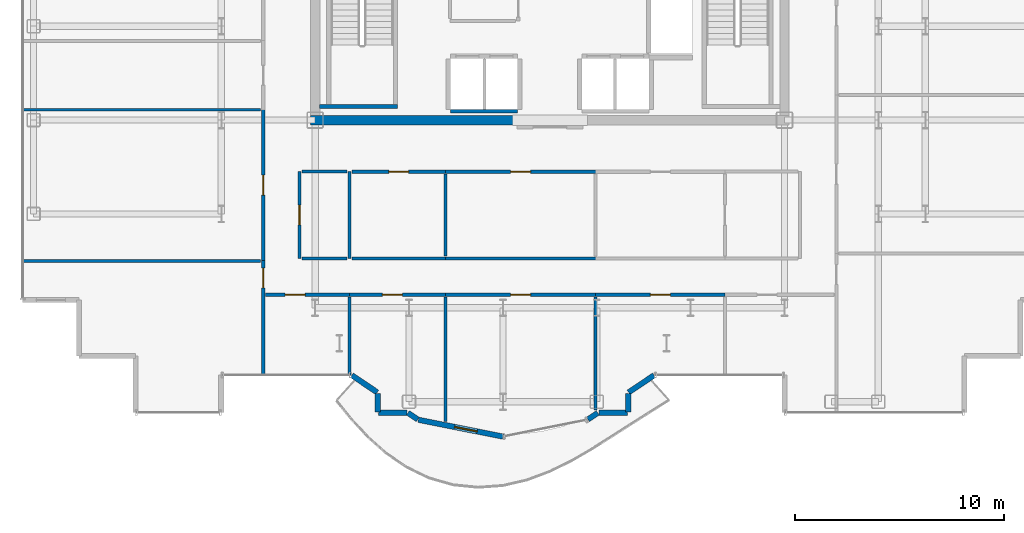
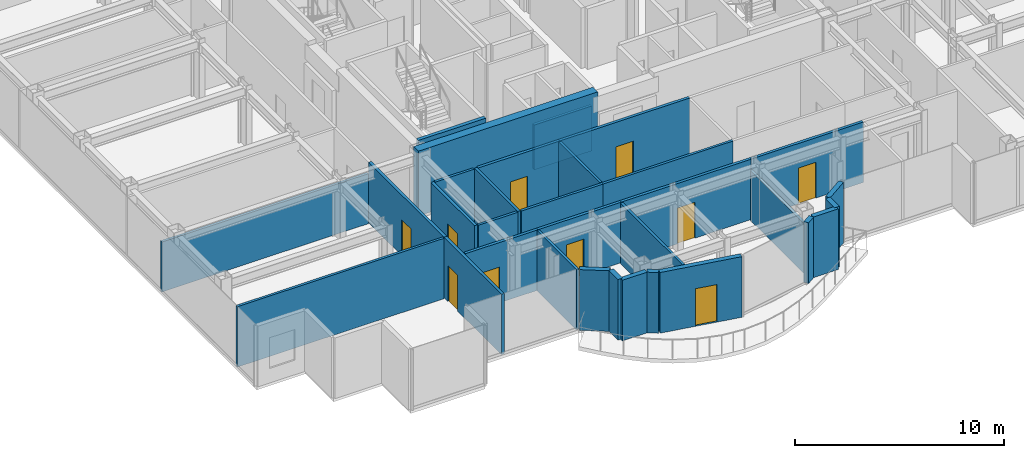
# One storey, part 14 of 21: 32 walls, 10 doors, 10 openings.
"""IFC4 building model written with IfcOpenShell, lengths in metres."""

from ifc_helpers import new_model, si_unit, direction, frame, frame_2d, origin, place, context, subcontext, project, spatial, rectangle, extrude, source, transform, mapped, material, layer, layer_set, type_object, element, fill, save


model = new_model("IFC4")

# Units and contexts
model_context = context("Model", 3, precision=1e-05, world=origin(), true_north=direction((0.0, 1.0)))
body_context = subcontext(model_context, "Body", "Model", "MODEL_VIEW")
ifc_project = project(units=[si_unit("LENGTHUNIT", "METRE"), si_unit("AREAUNIT", "SQUARE_METRE"), si_unit("VOLUMEUNIT", "CUBIC_METRE"), si_unit("PLANEANGLEUNIT", "RADIAN"), si_unit("MASSUNIT", "GRAM", prefix="KILO")], contexts=[model_context])

# Site, building, storey
site_placement = place(None, origin())
site = spatial("IfcSite", under=ifc_project, at=site_placement, CompositionType="ELEMENT")
building_placement = place(site_placement, origin())
building = spatial("IfcBuilding", under=site, at=building_placement, Name="Nefas-Gora Pilgrimage Tower", CompositionType="ELEMENT")
storey_placement = place(building_placement, frame((0.0, 0.0, 233.199951171875)))
storey = spatial("IfcBuildingStorey", under=building, at=storey_placement, Name="L58", CompositionType="ELEMENT", Elevation=233.199951171875)

# Walls
ifc_material_1 = material(Name="Concrete C50/60", Category="concrete")
ifc_layer_1 = layer(ifc_material_1, 0.449951171875)
ifc_layer_set_1 = layer_set([ifc_layer_1], Name="Concrete C50/60")
wall_type_1 = type_object("IfcWallType", Name="SW-CORE-450", PredefinedType="SHEAR", material=ifc_layer_set_1)
shared_shape_1 = source(origin(), body_context, "Body", "SweptSolid", [
    extrude(rectangle(XDim=9.925048828125, YDim=0.449951171875, at=frame_2d((4.96240234375, 0.0))), origin(), (0.0, 0.0, 1.0), 3.800048828125),
])
wall_1_placement = place(storey_placement, frame((-11.47509765625, -9.0, 0.0), z_axis=(0.0, 0.0, 1.0), x_axis=(1.0, 0.0, 0.0)))
element("IfcWall", 1, at=wall_1_placement, inside=storey, type_object=wall_type_1, Name="L58 Core Shear Wall S-West", PredefinedType="SHEAR", context=body_context, shape_type="MappedRepresentation", body=[
    mapped(shared_shape_1, transform((0.0, 0.0, 0.0), x_axis=(1.0, 0.0, 0.0), y_axis=(0.0, 1.0, 0.0), z_axis=(0.0, 0.0, 1.0), scale=1.0)),
])
ifc_material_2 = material(Name="Precast concrete C40/50", Category="concrete")
ifc_layer_2 = layer(ifc_material_2, 0.260009765625)
ifc_layer_set_2 = layer_set([ifc_layer_2], Name="Precast concrete C40/50")
wall_type_2 = type_object("IfcWallType", Name="EW-PORTAL-260", PredefinedType="SOLIDWALL", material=ifc_layer_set_2)
shared_shape_2 = source(origin(), body_context, "Body", "SweptSolid", [
    extrude(rectangle(XDim=1.468994140625, YDim=0.260009765625, at=frame_2d((0.734375, 0.0))), origin(), (0.0, 0.0, 1.0), 3.550048828125),
])
for number, where, z_axis, x_axis, name in (
    (2, (-9.49462890625, -21.235595703125, 0.0), (0.0, 0.0, 1.0), (0.831461760506, -0.555581983884, 0.0), "L58 Lobe Shoulder Precast Spandrel Pier 30"),
    (3, (3.773193359375, -22.0517578125, 0.0), (0.0, 0.0, 1.0), (0.831461760506, 0.555581983884, 0.0), "L58 Lobe Shoulder Precast Spandrel Pier 38"),
):
    element("IfcWall", number, at=place(storey_placement, frame(where, z_axis=z_axis, x_axis=x_axis)), inside=storey, type_object=wall_type_2, Name=name, PredefinedType="SOLIDWALL", context=body_context, shape_type="MappedRepresentation", body=[
        mapped(shared_shape_2, transform((0.0, 0.0, 0.0), x_axis=(1.0, 0.0, 0.0), y_axis=(0.0, 1.0, 0.0), z_axis=(0.0, 0.0, 1.0), scale=1.0)),
    ])
shared_shape_3 = source(origin(), body_context, "Body", "SweptSolid", [
    extrude(rectangle(XDim=0.896728515625, YDim=0.260009765625, at=frame_2d((0.4482421875, 0.0))), origin(), (0.0, 0.0, 1.0), 3.550048828125),
])
for number, where, z_axis, x_axis, name in (
    (4, (-8.25, -22.09521484375, 0.0), (0.0, 0.0, 1.0), (0.0, -1.0, 0.0), "L58 Lobe Shoulder Precast Spandrel Pier 31"),
    (5, (3.75, -22.991943359375, 0.0), (0.0, 0.0, 1.0), (0.0, 1.0, 0.0), "L58 Lobe Shoulder Precast Spandrel Pier 37"),
):
    element("IfcWall", number, at=place(storey_placement, frame(where, z_axis=z_axis, x_axis=x_axis)), inside=storey, type_object=wall_type_2, Name=name, PredefinedType="SOLIDWALL", context=body_context, shape_type="MappedRepresentation", body=[
        mapped(shared_shape_3, transform((0.0, 0.0, 0.0), x_axis=(1.0, 0.0, 0.0), y_axis=(0.0, 1.0, 0.0), z_axis=(0.0, 0.0, 1.0), scale=1.0)),
    ])
shared_shape_4 = source(origin(), body_context, "Body", "SweptSolid", [
    extrude(rectangle(XDim=1.369873046875, YDim=0.260009765625, at=frame_2d((0.68505859375, 0.0))), origin(), (0.0, 0.0, 1.0), 3.550048828125),
])
for number, where, z_axis, x_axis, name in (
    (6, (-8.221923828125, -23.02001953125, 0.0), (0.0, 0.0, 1.0), (1.0, 0.0, 0.0), "L58 Lobe Shoulder Precast Spandrel Pier 32"),
    (7, (2.35205078125, -23.02001953125, 0.0), (0.0, 0.0, 1.0), (1.0, 0.0, 0.0), "L58 Lobe Shoulder Precast Spandrel Pier 36"),
):
    element("IfcWall", number, at=place(storey_placement, frame(where, z_axis=z_axis, x_axis=x_axis)), inside=storey, type_object=wall_type_2, Name=name, PredefinedType="SOLIDWALL", context=body_context, shape_type="MappedRepresentation", body=[
        mapped(shared_shape_4, transform((0.0, 0.0, 0.0), x_axis=(1.0, 0.0, 0.0), y_axis=(0.0, 1.0, 0.0), z_axis=(0.0, 0.0, 1.0), scale=1.0)),
    ])
shared_shape_5 = source(origin(), body_context, "Body", "SweptSolid", [
    extrude(rectangle(XDim=0.5654296875, YDim=0.260009765625, at=frame_2d((0.28271484375, 0.0))), origin(), (0.0, 0.0, 1.0), 3.550048828125),
])
for number, where, z_axis, x_axis, name in (
    (8, (-6.80078125, -23.03564453125, 0.0), (0.0, 0.0, 1.0), (0.831651492666, -0.555297933317, 0.0), "L58 Lobe Shoulder Precast Spandrel Pier 33"),
    (9, (1.83056640625, -23.349609375, 0.0), (0.0, 0.0, 1.0), (0.831651492666, 0.555297933317, 0.0), "L58 Lobe Shoulder Precast Spandrel Pier 35"),
):
    element("IfcWall", number, at=place(storey_placement, frame(where, z_axis=z_axis, x_axis=x_axis)), inside=storey, type_object=wall_type_2, Name=name, PredefinedType="SOLIDWALL", context=body_context, shape_type="MappedRepresentation", body=[
        mapped(shared_shape_5, transform((0.0, 0.0, 0.0), x_axis=(1.0, 0.0, 0.0), y_axis=(0.0, 1.0, 0.0), z_axis=(0.0, 0.0, 1.0), scale=1.0)),
    ])

# Wall, opening, door
shared_shape_6 = source(origin(), body_context, "Body", "SweptSolid", [
    extrude(rectangle(XDim=4.136962890625, YDim=0.260009765625, at=frame_2d((2.068359375, 0.0))), origin(), (0.0, 0.0, 1.0), 3.550048828125),
])
wall_2_placement = place(storey_placement, frame((-6.307373046875, -23.365234375, 0.0), z_axis=(0.0, 0.0, 1.0), x_axis=(0.980782170794, -0.195105954428, 0.0)))
wall_2 = element("IfcWall", 10, at=wall_2_placement, inside=storey, type_object=wall_type_2, Name="L58 Insulated Terrace Portal Wall 34", PredefinedType="SOLIDWALL", context=body_context, shape_type="MappedRepresentation", body=[
    mapped(shared_shape_6, transform((0.0, 0.0, 0.0), x_axis=(1.0, 0.0, 0.0), y_axis=(0.0, 1.0, 0.0), z_axis=(0.0, 0.0, 1.0), scale=1.0)),
])
opening_1_placement = place(wall_2_placement, frame((1.776123046875, 0.0, 0.0)))
opening_1 = element("IfcOpeningElement", 11, at=opening_1_placement, cuts=wall_2, Name="Opening ED-B1", PredefinedType="OPENING", context=body_context, shape_type="SweptSolid", body=[
    extrude(rectangle(XDim=1.10009765625, YDim=2.199951171875, at=frame_2d((0.550048828125, 1.10009765625))), frame((0.0, 0.139892578125, 0.0), z_axis=(0.0, -1.0, 0.0), x_axis=(1.0, 0.0, 0.0)), (0.0, 0.0, 1.0), 0.280029296875),
])
ifc_material_3 = material(Name="Thermally broken glazed aluminium balcony door", Category="aluminium")
door_type_1 = type_object("IfcDoorType", Name="DR-EXT-BAL-1100", OperationType="NOTDEFINED", PredefinedType="DOOR", material=ifc_material_3)
shared_shape_7 = source(origin(), body_context, "Body", "SweptSolid", [
    extrude(rectangle(XDim=1.10009765625, YDim=2.199951171875, at=frame_2d((0.550048828125, 1.10009765625))), frame((0.0, 0.02490234375, 0.0), z_axis=(0.0, -1.0, 0.0), x_axis=(1.0, 0.0, 0.0)), (0.0, 0.0, 1.0), 0.050048828125),
])
door_1_placement = place(opening_1_placement, origin())
door_1 = element("IfcDoor", 12, at=door_1_placement, inside=storey, type_object=door_type_1, Name="L58 Exterior Door (L58 S Lobe Wave Balcony)", OperationType="SINGLE_SWING_LEFT", OverallHeight=2.199951171875, OverallWidth=1.10009765625, PredefinedType="DOOR", context=body_context, shape_type="MappedRepresentation", body=[
    mapped(shared_shape_7, transform((0.0, 0.0, 0.0), x_axis=(1.0, 0.0, 0.0), y_axis=(0.0, 1.0, 0.0), z_axis=(0.0, 0.0, 1.0), scale=1.0)),
])
fill(opening_1, door_1)

# Walls
ifc_material_4 = material(Name="Concrete C45/55", Category="concrete")
ifc_layer_3 = layer(ifc_material_4, 0.199951171875)
ifc_layer_set_3 = layer_set([ifc_layer_3], Name="Concrete C45/55")
wall_type_3 = type_object("IfcWallType", Name="IW-STAIR-200", PredefinedType="SOLIDWALL", material=ifc_layer_set_3)
shared_shape_8 = source(origin(), body_context, "Body", "SweptSolid", [
    extrude(rectangle(XDim=3.72998046875, YDim=0.199951171875, at=frame_2d((1.864990234375, 0.0))), origin(), (0.0, 0.0, 1.0), 3.800048828125),
])
wall_3_placement = place(storey_placement, frame((-11.030029296875, -8.35009765625, 0.0), z_axis=(0.0, 0.0, 1.0), x_axis=(1.0, 0.0, 0.0)))
element("IfcWall", 13, at=wall_3_placement, inside=storey, type_object=wall_type_3, Name="L58 Stairwell Shear Wall ST-03-far", PredefinedType="SOLIDWALL", context=body_context, shape_type="MappedRepresentation", body=[
    mapped(shared_shape_8, transform((0.0, 0.0, 0.0), x_axis=(1.0, 0.0, 0.0), y_axis=(0.0, 1.0, 0.0), z_axis=(0.0, 0.0, 1.0), scale=1.0)),
])
ifc_material_5 = material(Name="Gypsum acoustic stud partition")
ifc_layer_4 = layer(ifc_material_5, 0.159912109375)
ifc_layer_set_4 = layer_set([ifc_layer_4], Name="Gypsum acoustic stud partition")
wall_type_4 = type_object("IfcWallType", Name="IW-CORR-160", PredefinedType="PARTITIONING", material=ifc_layer_set_4)
shared_shape_9 = source(origin(), body_context, "Body", "SweptSolid", [
    extrude(rectangle(XDim=3.199951171875, YDim=0.159912109375, at=frame_2d((1.60009765625, 0.0))), origin(), (0.0, 0.0, 1.0), 2.625),
])
wall_4_placement = place(storey_placement, frame((-4.75, -8.580078125, 0.0), z_axis=(0.0, 0.0, 1.0), x_axis=(1.0, 0.0, 0.0)))
element("IfcWall", 14, at=wall_4_placement, inside=storey, type_object=wall_type_4, Name="L58 Hoistway Wall PL2-W-S", PredefinedType="PARTITIONING", context=body_context, shape_type="MappedRepresentation", body=[
    mapped(shared_shape_9, transform((0.0, 0.0, 0.0), x_axis=(1.0, 0.0, 0.0), y_axis=(0.0, 1.0, 0.0), z_axis=(0.0, 0.0, 1.0), scale=1.0)),
])

# Wall, opening, door
shared_shape_10 = source(origin(), body_context, "Body", "SweptSolid", [
    extrude(rectangle(XDim=4.60986328125, YDim=0.159912109375, at=frame_2d((2.304931640625, 0.0))), origin(), (0.0, 0.0, 1.0), 3.53515625),
])
wall_5_placement = place(storey_placement, frame((-9.60498046875, -17.3701171875, 0.0), z_axis=(0.0, 0.0, 1.0), x_axis=(1.0, 0.0, 0.0)))
wall_5 = element("IfcWall", 15, at=wall_5_placement, inside=storey, type_object=wall_type_4, Name="L58 Pilgrim Contemplative Lounge Partition Wall 78", PredefinedType="PARTITIONING", context=body_context, shape_type="MappedRepresentation", body=[
    mapped(shared_shape_10, transform((0.0, 0.0, 0.0), x_axis=(1.0, 0.0, 0.0), y_axis=(0.0, 1.0, 0.0), z_axis=(0.0, 0.0, 1.0), scale=1.0)),
])
opening_2_placement = place(wall_5_placement, frame((1.58203125, 0.0, 0.0)))
opening_2 = element("IfcOpeningElement", 16, at=opening_2_placement, cuts=wall_5, Name="Opening ID-GR1", PredefinedType="OPENING", context=body_context, shape_type="SweptSolid", body=[
    extrude(rectangle(XDim=0.949951171875, YDim=2.10009765625, at=frame_2d((0.47509765625, 1.050048828125))), frame((0.0, 0.08984375, 0.0), z_axis=(0.0, -1.0, 0.0), x_axis=(1.0, 0.0, 0.0)), (0.0, 0.0, 1.0), 0.179931640625),
])
ifc_material_6 = material(Name="Solid core oak fire-rated guest entrance door")
door_type_2 = type_object("IfcDoorType", Name="DR-INT-GUEST-950", OperationType="NOTDEFINED", PredefinedType="DOOR", material=ifc_material_6)
shared_shape_11 = source(origin(), body_context, "Body", "SweptSolid", [
    extrude(rectangle(XDim=0.949951171875, YDim=2.10009765625, at=frame_2d((0.47509765625, 1.050048828125))), frame((0.0, 0.02490234375, 0.0), z_axis=(0.0, -1.0, 0.0), x_axis=(1.0, 0.0, 0.0)), (0.0, 0.0, 1.0), 0.050048828125),
])
door_2_placement = place(opening_2_placement, origin())
door_2 = element("IfcDoor", 17, at=door_2_placement, inside=storey, type_object=door_type_2, Name="L58 Pilgrim Contemplative Lounge Door 35", OperationType="SINGLE_SWING_LEFT", OverallHeight=2.10009765625, OverallWidth=0.949951171875, PredefinedType="DOOR", context=body_context, shape_type="MappedRepresentation", body=[
    mapped(shared_shape_11, transform((0.0, 0.0, 0.0), x_axis=(1.0, 0.0, 0.0), y_axis=(0.0, 1.0, 0.0), z_axis=(0.0, 0.0, 1.0), scale=1.0)),
])
fill(opening_2, door_2)

shared_shape_12 = source(origin(), body_context, "Body", "SweptSolid", [
    extrude(rectangle(XDim=4.025146484375, YDim=0.159912109375, at=frame_2d((2.0126953125, 0.0))), origin(), (0.0, 0.0, 1.0), 3.53515625),
])
wall_6_placement = place(storey_placement, frame((-13.6201171875, -17.3701171875, 0.0), z_axis=(0.0, 0.0, 1.0), x_axis=(1.0, 0.0, 0.0)))
wall_6 = element("IfcWall", 18, at=wall_6_placement, inside=storey, type_object=wall_type_4, Name="L58 Pilgrim Contemplative Lounge Partition Wall 72", PredefinedType="PARTITIONING", context=body_context, shape_type="MappedRepresentation", body=[
    mapped(shared_shape_12, transform((0.0, 0.0, 0.0), x_axis=(1.0, 0.0, 0.0), y_axis=(0.0, 1.0, 0.0), z_axis=(0.0, 0.0, 1.0), scale=1.0)),
])
opening_3_placement = place(wall_6_placement, frame((0.933837890625, 0.0, 0.0)))
opening_3 = element("IfcOpeningElement", 19, at=opening_3_placement, cuts=wall_6, Name="Opening ID-GR1", PredefinedType="OPENING", context=body_context, shape_type="SweptSolid", body=[
    extrude(rectangle(XDim=0.949951171875, YDim=2.10009765625, at=frame_2d((0.47509765625, 1.050048828125))), frame((0.0, 0.08984375, 0.0), z_axis=(0.0, -1.0, 0.0), x_axis=(1.0, 0.0, 0.0)), (0.0, 0.0, 1.0), 0.179931640625),
])
door_3_placement = place(opening_3_placement, origin())
door_3 = element("IfcDoor", 20, at=door_3_placement, inside=storey, type_object=door_type_2, Name="L58 Pilgrim Contemplative Lounge Door 33", OperationType="SINGLE_SWING_LEFT", OverallHeight=2.10009765625, OverallWidth=0.949951171875, PredefinedType="DOOR", context=body_context, shape_type="MappedRepresentation", body=[
    mapped(shared_shape_11, transform((0.0, 0.0, 0.0), x_axis=(1.0, 0.0, 0.0), y_axis=(0.0, 1.0, 0.0), z_axis=(0.0, 0.0, 1.0), scale=1.0)),
])
fill(opening_3, door_3)

shared_shape_13 = source(origin(), body_context, "Body", "SweptSolid", [
    extrude(rectangle(XDim=6.2099609375, YDim=0.159912109375, at=frame_2d((3.10498046875, 0.0))), origin(), (0.0, 0.0, 1.0), 3.53515625),
])
wall_7_placement = place(storey_placement, frame((2.195068359375, -17.3701171875, 0.0), z_axis=(0.0, 0.0, 1.0), x_axis=(1.0, 0.0, 0.0)))
wall_7 = element("IfcWall", 21, at=wall_7_placement, inside=storey, type_object=wall_type_4, Name="L58 Pilgrim Contemplative Lounge Partition Wall 88", PredefinedType="PARTITIONING", context=body_context, shape_type="MappedRepresentation", body=[
    mapped(shared_shape_13, transform((0.0, 0.0, 0.0), x_axis=(1.0, 0.0, 0.0), y_axis=(0.0, 1.0, 0.0), z_axis=(0.0, 0.0, 1.0), scale=1.0)),
])
opening_4_placement = place(wall_7_placement, frame((2.6298828125, 0.0, 0.0)))
opening_4 = element("IfcOpeningElement", 22, at=opening_4_placement, cuts=wall_7, Name="Opening ID-GR1", PredefinedType="OPENING", context=body_context, shape_type="SweptSolid", body=[
    extrude(rectangle(XDim=0.949951171875, YDim=2.10009765625, at=frame_2d((0.47509765625, 1.050048828125))), frame((0.0, 0.08984375, 0.0), z_axis=(0.0, -1.0, 0.0), x_axis=(1.0, 0.0, 0.0)), (0.0, 0.0, 1.0), 0.179931640625),
])
door_4_placement = place(opening_4_placement, origin())
door_4 = element("IfcDoor", 23, at=door_4_placement, inside=storey, type_object=door_type_2, Name="L58 Pilgrim Contemplative Lounge Door 39", OperationType="SINGLE_SWING_LEFT", OverallHeight=2.10009765625, OverallWidth=0.949951171875, PredefinedType="DOOR", context=body_context, shape_type="MappedRepresentation", body=[
    mapped(shared_shape_11, transform((0.0, 0.0, 0.0), x_axis=(1.0, 0.0, 0.0), y_axis=(0.0, 1.0, 0.0), z_axis=(0.0, 0.0, 1.0), scale=1.0)),
])
fill(opening_4, door_4)

# Wall
ifc_material_7 = material(Name="Gypsum twin-stud partition")
ifc_layer_5 = layer(ifc_material_7, 0.139892578125)
ifc_layer_set_5 = layer_set([ifc_layer_5], Name="Gypsum twin-stud partition")
wall_type_5 = type_object("IfcWallType", Name="IW-UNIT-140", PredefinedType="PARTITIONING", material=ifc_layer_set_5)
shared_shape_14 = source(origin(), body_context, "Body", "SweptSolid", [
    extrude(rectangle(XDim=11.429931640625, YDim=0.139892578125, at=frame_2d((5.71484375, 0.0))), origin(), (0.0, 0.0, 1.0), 3.53515625),
])
wall_8_placement = place(storey_placement, frame((-25.2900390625, -15.74755859375, 0.0), z_axis=(0.0, 0.0, 1.0), x_axis=(1.0, 0.0, 0.0)))
element("IfcWall", 24, at=wall_8_placement, inside=storey, type_object=wall_type_5, Name="L58 Pilgrim Devotional Prayer Gallery Partition Wall 33", PredefinedType="PARTITIONING", context=body_context, shape_type="MappedRepresentation", body=[
    mapped(shared_shape_14, transform((0.0, 0.0, 0.0), x_axis=(1.0, 0.0, 0.0), y_axis=(0.0, 1.0, 0.0), z_axis=(0.0, 0.0, 1.0), scale=1.0)),
])

# Wall, opening, door
shared_shape_15 = source(origin(), body_context, "Body", "SweptSolid", [
    extrude(rectangle(XDim=7.242431640625, YDim=0.159912109375, at=frame_2d((3.62109375, 0.0))), origin(), (0.0, 0.0, 1.0), 3.53515625),
])
wall_9_placement = place(storey_placement, frame((-13.739990234375, -15.737548828125, 0.0), z_axis=(0.0, 0.0, 1.0), x_axis=(0.0, 1.0, 0.0)))
wall_9 = element("IfcWall", 25, at=wall_9_placement, inside=storey, type_object=wall_type_4, Name="L58 Pilgrim Devotional Prayer Gallery Partition Wall 34", PredefinedType="PARTITIONING", context=body_context, shape_type="MappedRepresentation", body=[
    mapped(shared_shape_15, transform((0.0, 0.0, 0.0), x_axis=(1.0, 0.0, 0.0), y_axis=(0.0, 1.0, 0.0), z_axis=(0.0, 0.0, 1.0), scale=1.0)),
])
opening_5_placement = place(wall_9_placement, frame((3.146240234375, 0.0, 0.0)))
opening_5 = element("IfcOpeningElement", 26, at=opening_5_placement, cuts=wall_9, Name="Opening ID-GR1", PredefinedType="OPENING", context=body_context, shape_type="SweptSolid", body=[
    extrude(rectangle(XDim=0.949951171875, YDim=2.10009765625, at=frame_2d((0.47509765625, 1.050048828125))), frame((0.0, 0.08984375, 0.0), z_axis=(0.0, -1.0, 0.0), x_axis=(1.0, 0.0, 0.0)), (0.0, 0.0, 1.0), 0.179931640625),
])
door_5_placement = place(opening_5_placement, origin())
door_5 = element("IfcDoor", 27, at=door_5_placement, inside=storey, type_object=door_type_2, Name="L58 Pilgrim Devotional Prayer Gallery Door 14", OperationType="SINGLE_SWING_RIGHT", OverallHeight=2.10009765625, OverallWidth=0.949951171875, PredefinedType="DOOR", context=body_context, shape_type="MappedRepresentation", body=[
    mapped(shared_shape_11, transform((0.0, 0.0, 0.0), x_axis=(1.0, 0.0, 0.0), y_axis=(0.0, 1.0, 0.0), z_axis=(0.0, 0.0, 1.0), scale=1.0)),
])
fill(opening_5, door_5)

# Walls
shared_shape_16 = source(origin(), body_context, "Body", "SweptSolid", [
    extrude(rectangle(XDim=3.929931640625, YDim=0.139892578125, at=frame_2d((1.96484375, 0.0))), origin(), (0.0, 0.0, 1.0), 3.53515625),
])
wall_10_placement = place(storey_placement, frame((-5.0048828125, -15.52001953125, 0.0), z_axis=(0.0, 0.0, 1.0), x_axis=(0.0, 1.0, 0.0)))
element("IfcWall", 28, at=wall_10_placement, inside=storey, type_object=wall_type_5, Name="L58 Pilgrim Contemplative Lounge Partition Wall 82", PredefinedType="PARTITIONING", context=body_context, shape_type="MappedRepresentation", body=[
    mapped(shared_shape_16, transform((0.0, 0.0, 0.0), x_axis=(1.0, 0.0, 0.0), y_axis=(0.0, 1.0, 0.0), z_axis=(0.0, 0.0, 1.0), scale=1.0)),
])
shared_shape_17 = source(origin(), body_context, "Body", "SweptSolid", [
    extrude(rectangle(XDim=3.75, YDim=0.139892578125, at=frame_2d((1.875, 0.0))), origin(), (0.0, 0.0, 1.0), 3.53515625),
])
wall_11_placement = place(storey_placement, frame((-9.60498046875, -21.239990234375, 0.0), z_axis=(0.0, 0.0, 1.0), x_axis=(0.0, 1.0, 0.0)))
element("IfcWall", 29, at=wall_11_placement, inside=storey, type_object=wall_type_5, Name="L58 Pilgrim Contemplative Lounge Partition Wall 73", PredefinedType="PARTITIONING", context=body_context, shape_type="MappedRepresentation", body=[
    mapped(shared_shape_17, transform((0.0, 0.0, 0.0), x_axis=(1.0, 0.0, 0.0), y_axis=(0.0, 1.0, 0.0), z_axis=(0.0, 0.0, 1.0), scale=1.0)),
])
shared_shape_18 = source(origin(), body_context, "Body", "SweptSolid", [
    extrude(rectangle(XDim=4.179931640625, YDim=0.139892578125, at=frame_2d((2.08984375, 0.0))), origin(), (0.0, 0.0, 1.0), 3.53515625),
])
wall_12_placement = place(storey_placement, frame((-9.60498046875, -15.639892578125, 0.0), z_axis=(0.0, 0.0, 1.0), x_axis=(0.0, 1.0, 0.0)))
element("IfcWall", 30, at=wall_12_placement, inside=storey, type_object=wall_type_5, Name="L58 Pilgrim Contemplative Lounge Partition Wall 75", PredefinedType="PARTITIONING", context=body_context, shape_type="MappedRepresentation", body=[
    mapped(shared_shape_18, transform((0.0, 0.0, 0.0), x_axis=(1.0, 0.0, 0.0), y_axis=(0.0, 1.0, 0.0), z_axis=(0.0, 0.0, 1.0), scale=1.0)),
])

# Wall, opening, door
shared_shape_19 = source(origin(), body_context, "Body", "SweptSolid", [
    extrude(rectangle(XDim=4.179931640625, YDim=0.159912109375, at=frame_2d((2.08984375, 0.0))), origin(), (0.0, 0.0, 1.0), 3.53515625),
])
wall_13_placement = place(storey_placement, frame((-12.0, -15.639892578125, 0.0), z_axis=(0.0, 0.0, 1.0), x_axis=(0.0, 1.0, 0.0)))
wall_13 = element("IfcWall", 31, at=wall_13_placement, inside=storey, type_object=wall_type_4, Name="L58 Pilgrim Contemplative Lounge Partition Wall 74", PredefinedType="PARTITIONING", context=body_context, shape_type="MappedRepresentation", body=[
    mapped(shared_shape_19, transform((0.0, 0.0, 0.0), x_axis=(1.0, 0.0, 0.0), y_axis=(0.0, 1.0, 0.0), z_axis=(0.0, 0.0, 1.0), scale=1.0)),
])
opening_6_placement = place(wall_13_placement, frame((1.614990234375, 0.0, 0.0)))
opening_6 = element("IfcOpeningElement", 32, at=opening_6_placement, cuts=wall_13, Name="Opening ID-GR1", PredefinedType="OPENING", context=body_context, shape_type="SweptSolid", body=[
    extrude(rectangle(XDim=0.949951171875, YDim=2.10009765625, at=frame_2d((0.47509765625, 1.050048828125))), frame((0.0, 0.08984375, 0.0), z_axis=(0.0, -1.0, 0.0), x_axis=(1.0, 0.0, 0.0)), (0.0, 0.0, 1.0), 0.179931640625),
])
door_6_placement = place(opening_6_placement, origin())
door_6 = element("IfcDoor", 33, at=door_6_placement, inside=storey, type_object=door_type_2, Name="L58 Pilgrim Contemplative Lounge Door 34", OperationType="SINGLE_SWING_RIGHT", OverallHeight=2.10009765625, OverallWidth=0.949951171875, PredefinedType="DOOR", context=body_context, shape_type="MappedRepresentation", body=[
    mapped(shared_shape_11, transform((0.0, 0.0, 0.0), x_axis=(1.0, 0.0, 0.0), y_axis=(0.0, 1.0, 0.0), z_axis=(0.0, 0.0, 1.0), scale=1.0)),
])
fill(opening_6, door_6)

shared_shape_20 = source(origin(), body_context, "Body", "SweptSolid", [
    extrude(rectangle(XDim=4.5, YDim=0.159912109375, at=frame_2d((2.25, 0.0))), origin(), (0.0, 0.0, 1.0), 3.53515625),
])
wall_14_placement = place(storey_placement, frame((-9.4951171875, -11.469970703125, 0.0), z_axis=(0.0, 0.0, 1.0), x_axis=(1.0, 0.0, 0.0)))
wall_14 = element("IfcWall", 34, at=wall_14_placement, inside=storey, type_object=wall_type_4, Name="L58 Pilgrim Contemplative Lounge Partition Wall 80", PredefinedType="PARTITIONING", context=body_context, shape_type="MappedRepresentation", body=[
    mapped(shared_shape_20, transform((0.0, 0.0, 0.0), x_axis=(1.0, 0.0, 0.0), y_axis=(0.0, 1.0, 0.0), z_axis=(0.0, 0.0, 1.0), scale=1.0)),
])
opening_7_placement = place(wall_14_placement, frame((1.77490234375, 0.0, 0.0)))
opening_7 = element("IfcOpeningElement", 35, at=opening_7_placement, cuts=wall_14, Name="Opening ID-GR1", PredefinedType="OPENING", context=body_context, shape_type="SweptSolid", body=[
    extrude(rectangle(XDim=0.949951171875, YDim=2.10009765625, at=frame_2d((0.47509765625, 1.050048828125))), frame((0.0, 0.08984375, 0.0), z_axis=(0.0, -1.0, 0.0), x_axis=(1.0, 0.0, 0.0)), (0.0, 0.0, 1.0), 0.179931640625),
])
door_7_placement = place(opening_7_placement, origin())
door_7 = element("IfcDoor", 36, at=door_7_placement, inside=storey, type_object=door_type_2, Name="L58 Pilgrim Contemplative Lounge Door 36", OperationType="SINGLE_SWING_RIGHT", OverallHeight=2.10009765625, OverallWidth=0.949951171875, PredefinedType="DOOR", context=body_context, shape_type="MappedRepresentation", body=[
    mapped(shared_shape_11, transform((0.0, 0.0, 0.0), x_axis=(1.0, 0.0, 0.0), y_axis=(0.0, 1.0, 0.0), z_axis=(0.0, 0.0, 1.0), scale=1.0)),
])
fill(opening_7, door_7)

# Wall
shared_shape_21 = source(origin(), body_context, "Body", "SweptSolid", [
    extrude(rectangle(XDim=4.5, YDim=0.139892578125, at=frame_2d((2.25, 0.0))), origin(), (0.0, 0.0, 1.0), 3.53515625),
])
wall_15_placement = place(storey_placement, frame((-9.4951171875, -15.6298828125, 0.0), z_axis=(0.0, 0.0, 1.0), x_axis=(1.0, 0.0, 0.0)))
element("IfcWall", 37, at=wall_15_placement, inside=storey, type_object=wall_type_5, Name="L58 Pilgrim Contemplative Lounge Partition Wall 81", PredefinedType="PARTITIONING", context=body_context, shape_type="MappedRepresentation", body=[
    mapped(shared_shape_21, transform((0.0, 0.0, 0.0), x_axis=(1.0, 0.0, 0.0), y_axis=(0.0, 1.0, 0.0), z_axis=(0.0, 0.0, 1.0), scale=1.0)),
])

# Wall, opening, door
shared_shape_22 = source(origin(), body_context, "Body", "SweptSolid", [
    extrude(rectangle(XDim=7.2099609375, YDim=0.159912109375, at=frame_2d((3.60498046875, 0.0))), origin(), (0.0, 0.0, 1.0), 3.53515625),
])
wall_16_placement = place(storey_placement, frame((-5.0048828125, -17.3701171875, 0.0), z_axis=(0.0, 0.0, 1.0), x_axis=(1.0, 0.0, 0.0)))
wall_16 = element("IfcWall", 38, at=wall_16_placement, inside=storey, type_object=wall_type_4, Name="L58 Pilgrim Contemplative Lounge Partition Wall 83", PredefinedType="PARTITIONING", context=body_context, shape_type="MappedRepresentation", body=[
    mapped(shared_shape_22, transform((0.0, 0.0, 0.0), x_axis=(1.0, 0.0, 0.0), y_axis=(0.0, 1.0, 0.0), z_axis=(0.0, 0.0, 1.0), scale=1.0)),
])
opening_8_placement = place(wall_16_placement, frame((3.1298828125, 0.0, 0.0)))
opening_8 = element("IfcOpeningElement", 39, at=opening_8_placement, cuts=wall_16, Name="Opening ID-GR1", PredefinedType="OPENING", context=body_context, shape_type="SweptSolid", body=[
    extrude(rectangle(XDim=0.949951171875, YDim=2.10009765625, at=frame_2d((0.47509765625, 1.050048828125))), frame((0.0, 0.08984375, 0.0), z_axis=(0.0, -1.0, 0.0), x_axis=(1.0, 0.0, 0.0)), (0.0, 0.0, 1.0), 0.179931640625),
])
door_8_placement = place(opening_8_placement, origin())
door_8 = element("IfcDoor", 40, at=door_8_placement, inside=storey, type_object=door_type_2, Name="L58 Pilgrim Contemplative Lounge Door 37", OperationType="SINGLE_SWING_LEFT", OverallHeight=2.10009765625, OverallWidth=0.949951171875, PredefinedType="DOOR", context=body_context, shape_type="MappedRepresentation", body=[
    mapped(shared_shape_11, transform((0.0, 0.0, 0.0), x_axis=(1.0, 0.0, 0.0), y_axis=(0.0, 1.0, 0.0), z_axis=(0.0, 0.0, 1.0), scale=1.0)),
])
fill(opening_8, door_8)

wall_17_placement = place(storey_placement, frame((-5.0048828125, -11.469970703125, 0.0), z_axis=(0.0, 0.0, 1.0), x_axis=(1.0, 0.0, 0.0)))
wall_17 = element("IfcWall", 41, at=wall_17_placement, inside=storey, type_object=wall_type_4, Name="L58 Pilgrim Contemplative Lounge Partition Wall 85", PredefinedType="PARTITIONING", context=body_context, shape_type="MappedRepresentation", body=[
    mapped(shared_shape_22, transform((0.0, 0.0, 0.0), x_axis=(1.0, 0.0, 0.0), y_axis=(0.0, 1.0, 0.0), z_axis=(0.0, 0.0, 1.0), scale=1.0)),
])
opening_9_placement = place(wall_17_placement, frame((3.1298828125, 0.0, 0.0)))
opening_9 = element("IfcOpeningElement", 42, at=opening_9_placement, cuts=wall_17, Name="Opening ID-GR1", PredefinedType="OPENING", context=body_context, shape_type="SweptSolid", body=[
    extrude(rectangle(XDim=0.949951171875, YDim=2.10009765625, at=frame_2d((0.47509765625, 1.050048828125))), frame((0.0, 0.08984375, 0.0), z_axis=(0.0, -1.0, 0.0), x_axis=(1.0, 0.0, 0.0)), (0.0, 0.0, 1.0), 0.179931640625),
])
door_9_placement = place(opening_9_placement, origin())
door_9 = element("IfcDoor", 43, at=door_9_placement, inside=storey, type_object=door_type_2, Name="L58 Pilgrim Contemplative Lounge Door 38", OperationType="SINGLE_SWING_RIGHT", OverallHeight=2.10009765625, OverallWidth=0.949951171875, PredefinedType="DOOR", context=body_context, shape_type="MappedRepresentation", body=[
    mapped(shared_shape_11, transform((0.0, 0.0, 0.0), x_axis=(1.0, 0.0, 0.0), y_axis=(0.0, 1.0, 0.0), z_axis=(0.0, 0.0, 1.0), scale=1.0)),
])
fill(opening_9, door_9)

# Walls
shared_shape_23 = source(origin(), body_context, "Body", "SweptSolid", [
    extrude(rectangle(XDim=7.2099609375, YDim=0.139892578125, at=frame_2d((3.60498046875, 0.0))), origin(), (0.0, 0.0, 1.0), 3.53515625),
])
wall_18_placement = place(storey_placement, frame((-5.0048828125, -15.6298828125, 0.0), z_axis=(0.0, 0.0, 1.0), x_axis=(1.0, 0.0, 0.0)))
element("IfcWall", 44, at=wall_18_placement, inside=storey, type_object=wall_type_5, Name="L58 Pilgrim Contemplative Lounge Partition Wall 86", PredefinedType="PARTITIONING", context=body_context, shape_type="MappedRepresentation", body=[
    mapped(shared_shape_23, transform((0.0, 0.0, 0.0), x_axis=(1.0, 0.0, 0.0), y_axis=(0.0, 1.0, 0.0), z_axis=(0.0, 0.0, 1.0), scale=1.0)),
])
shared_shape_24 = source(origin(), body_context, "Body", "SweptSolid", [
    extrude(rectangle(XDim=11.429931640625, YDim=0.139892578125, at=frame_2d((5.71484375, 0.0))), origin(), (0.0, 0.0, 1.0), 2.925048828125),
])
wall_19_placement = place(storey_placement, frame((-25.2900390625, -8.5048828125, 0.0), z_axis=(0.0, 0.0, 1.0), x_axis=(1.0, 0.0, 0.0)))
element("IfcWall", 45, at=wall_19_placement, inside=storey, type_object=wall_type_5, Name="L58 Pilgrim Devotional Prayer Gallery Partition Wall 35", PredefinedType="PARTITIONING", context=body_context, shape_type="MappedRepresentation", body=[
    mapped(shared_shape_24, transform((0.0, 0.0, 0.0), x_axis=(1.0, 0.0, 0.0), y_axis=(0.0, 1.0, 0.0), z_axis=(0.0, 0.0, 1.0), scale=1.0)),
])

# Wall, opening, door
shared_shape_25 = source(origin(), body_context, "Body", "SweptSolid", [
    extrude(rectangle(XDim=5.50244140625, YDim=0.159912109375, at=frame_2d((2.751220703125, 0.0))), origin(), (0.0, 0.0, 1.0), 3.53515625),
])
wall_20_placement = place(storey_placement, frame((-13.739990234375, -21.239990234375, 0.0), z_axis=(0.0, 0.0, 1.0), x_axis=(0.0, 1.0, 0.0)))
wall_20 = element("IfcWall", 46, at=wall_20_placement, inside=storey, type_object=wall_type_4, Name="L58 Pilgrim Devotional Prayer Gallery Partition Wall 32", PredefinedType="PARTITIONING", context=body_context, shape_type="MappedRepresentation", body=[
    mapped(shared_shape_25, transform((0.0, 0.0, 0.0), x_axis=(1.0, 0.0, 0.0), y_axis=(0.0, 1.0, 0.0), z_axis=(0.0, 0.0, 1.0), scale=1.0)),
])
opening_10_placement = place(wall_20_placement, frame((4.191162109375, 0.0, 0.0)))
opening_10 = element("IfcOpeningElement", 47, at=opening_10_placement, cuts=wall_20, Name="Opening ID-GR1", PredefinedType="OPENING", context=body_context, shape_type="SweptSolid", body=[
    extrude(rectangle(XDim=0.949951171875, YDim=2.10009765625, at=frame_2d((0.47509765625, 1.050048828125))), frame((0.0, 0.08984375, 0.0), z_axis=(0.0, -1.0, 0.0), x_axis=(1.0, 0.0, 0.0)), (0.0, 0.0, 1.0), 0.179931640625),
])
door_10_placement = place(opening_10_placement, origin())
door_10 = element("IfcDoor", 48, at=door_10_placement, inside=storey, type_object=door_type_2, Name="L58 Pilgrim Devotional Prayer Gallery Door 13", OperationType="SINGLE_SWING_LEFT", OverallHeight=2.10009765625, OverallWidth=0.949951171875, PredefinedType="DOOR", context=body_context, shape_type="MappedRepresentation", body=[
    mapped(shared_shape_11, transform((0.0, 0.0, 0.0), x_axis=(1.0, 0.0, 0.0), y_axis=(0.0, 1.0, 0.0), z_axis=(0.0, 0.0, 1.0), scale=1.0)),
])
fill(opening_10, door_10)

# Walls
shared_shape_26 = source(origin(), body_context, "Body", "SweptSolid", [
    extrude(rectangle(XDim=2.164794921875, YDim=0.139892578125, at=frame_2d((1.08251953125, 0.0))), origin(), (0.0, 0.0, 1.0), 3.53515625),
])
for number, where, z_axis, x_axis, name in (
    (49, (-11.8798828125, -11.469970703125, 0.0), (0.0, 0.0, 1.0), (1.0, 0.0, 0.0), "L58 Pilgrim Contemplative Lounge Partition Wall 76"),
    (50, (-11.8798828125, -15.6298828125, 0.0), (0.0, 0.0, 1.0), (1.0, 0.0, 0.0), "L58 Pilgrim Contemplative Lounge Partition Wall 77"),
):
    element("IfcWall", number, at=place(storey_placement, frame(where, z_axis=z_axis, x_axis=x_axis)), inside=storey, type_object=wall_type_5, Name=name, PredefinedType="PARTITIONING", context=body_context, shape_type="MappedRepresentation", body=[
        mapped(shared_shape_26, transform((0.0, 0.0, 0.0), x_axis=(1.0, 0.0, 0.0), y_axis=(0.0, 1.0, 0.0), z_axis=(0.0, 0.0, 1.0), scale=1.0)),
    ])
shared_shape_27 = source(origin(), body_context, "Body", "SweptSolid", [
    extrude(rectangle(XDim=5.414306640625, YDim=0.139892578125, at=frame_2d((2.70703125, 0.0))), origin(), (0.0, 0.0, 1.0), 2.925048828125),
])
wall_21_placement = place(storey_placement, frame((2.195068359375, -22.904296875, 0.0), z_axis=(0.0, 0.0, 1.0), x_axis=(0.0, 1.0, 0.0)))
element("IfcWall", 51, at=wall_21_placement, inside=storey, type_object=wall_type_5, Name="L58 Pilgrim Contemplative Lounge Partition Wall 84", PredefinedType="PARTITIONING", context=body_context, shape_type="MappedRepresentation", body=[
    mapped(shared_shape_27, transform((0.0, 0.0, 0.0), x_axis=(1.0, 0.0, 0.0), y_axis=(0.0, 1.0, 0.0), z_axis=(0.0, 0.0, 1.0), scale=1.0)),
])
shared_shape_28 = source(origin(), body_context, "Body", "SweptSolid", [
    extrude(rectangle(XDim=5.96142578125, YDim=0.139892578125, at=frame_2d((2.980712890625, 0.0))), origin(), (0.0, 0.0, 1.0), 3.53515625),
])
wall_22_placement = place(storey_placement, frame((-5.0048828125, -23.451416015625, 0.0), z_axis=(0.0, 0.0, 1.0), x_axis=(0.0, 1.0, 0.0)))
element("IfcWall", 52, at=wall_22_placement, inside=storey, type_object=wall_type_5, Name="L58 Pilgrim Contemplative Lounge Partition Wall 79", PredefinedType="PARTITIONING", context=body_context, shape_type="MappedRepresentation", body=[
    mapped(shared_shape_28, transform((0.0, 0.0, 0.0), x_axis=(1.0, 0.0, 0.0), y_axis=(0.0, 1.0, 0.0), z_axis=(0.0, 0.0, 1.0), scale=1.0)),
])

save(model, "model.ifc")
